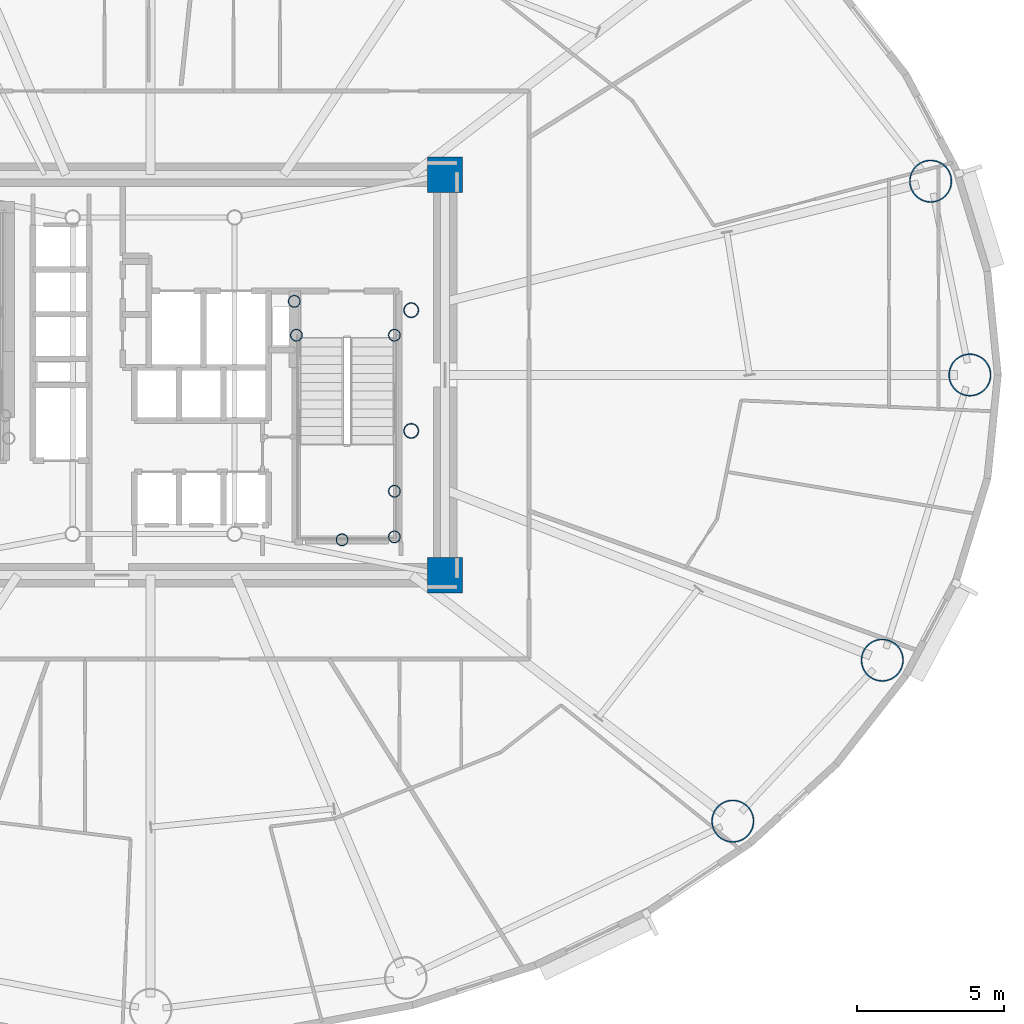
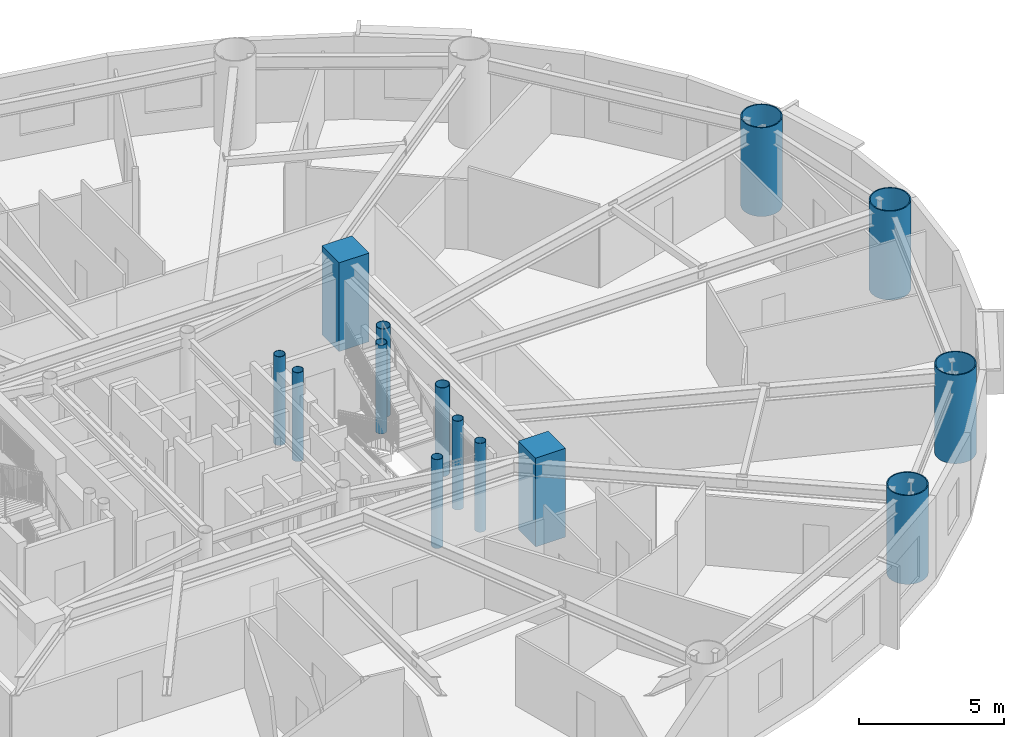
# One storey, part 2 of 21: 14 columns.
"""IFC4 building model written with IfcOpenShell, lengths in metres."""

import ifcopenshell
import ifcopenshell.guid

model = None  # the IFC model being written
_history = None  # IfcOwnerHistory: only IFC2X3 demands one
_inside = {}  # id of a spatial element -> (the spatial element, [elements in it])
_under = {}  # id of a project, library or spatial element -> (it, [spatial elements below it])
_declared = {}  # id of a project -> (the project, [libraries it declares])
_typed = {}  # id of a type object -> (the type object, [elements of that type])
_made_of = {}  # id of a material, layer set ... -> (it, [elements and type objects made of it])


def new_model(schema):
    """Start an empty IFC model of exactly this schema.

    Asked for "IFC4X3", IfcOpenShell would pick the latest addendum, in which some entities
    have other attributes; the version numbers below select the first issue.
    IFC2X3 requires an IfcOwnerHistory on every rooted entity: one is made here for all.
    """
    global model, _history
    if schema == "IFC4X3":
        model = ifcopenshell.file(schema_version=(4, 3, 0, 0))
    else:
        model = ifcopenshell.file(schema=schema)
    _inside.clear()
    _under.clear()
    _declared.clear()
    _typed.clear()
    _made_of.clear()
    _history = None
    if model.schema == "IFC2X3":
        org = make("IfcOrganization", Name="unknown")
        user = make(
            "IfcPersonAndOrganization",
            ThePerson=make("IfcPerson", FamilyName="unknown"),
            TheOrganization=org,
        )
        app = make(
            "IfcApplication",
            ApplicationDeveloper=org,
            Version="unknown",
            ApplicationFullName="unknown",
            ApplicationIdentifier="unknown",
        )
        _history = make(
            "IfcOwnerHistory",
            OwningUser=user,
            OwningApplication=app,
            ChangeAction="ADDED",
            CreationDate=0,
        )
    return model


def make(cls, **values):
    """One entity of the class cls with the attributes given. An attribute that is None is left unset."""
    return model.create_entity(
        cls, **{name: value for name, value in values.items() if value is not None}
    )


def rooted(cls, **values):
    """An entity with a GlobalId (a new one), such as an element, a storey or a relation."""
    return make(cls, GlobalId=ifcopenshell.guid.new(), OwnerHistory=_history, **values)


def si_unit(unit_type, name, prefix=None):
    """IfcSIUnit, for example si_unit("LENGTHUNIT", "METRE", prefix="MILLI")."""
    return make("IfcSIUnit", UnitType=unit_type, Prefix=prefix, Name=name)


def assignment(units):
    """IfcUnitAssignment: the units of a project."""
    return None if units is None else make("IfcUnitAssignment", Units=units)


def point(xyz):
    """IfcCartesianPoint."""
    return None if xyz is None else make("IfcCartesianPoint", Coordinates=xyz)


def direction(xyz):
    """IfcDirection."""
    return None if xyz is None else make("IfcDirection", DirectionRatios=xyz)


def frame(location, z_axis=None, x_axis=None):
    """IfcAxis2Placement3D, a coordinate frame: its origin and axes. An axis left out is left unset."""
    return make(
        "IfcAxis2Placement3D",
        Location=point(location),
        Axis=direction(z_axis),
        RefDirection=direction(x_axis),
    )


def frame_2d(location, x_axis=None):
    """IfcAxis2Placement2D, a coordinate frame in the plane: its origin and x axis."""
    return make(
        "IfcAxis2Placement2D", Location=point(location), RefDirection=direction(x_axis)
    )


def origin():
    """The frame at (0, 0, 0) with its axes left unset."""
    return frame((0.0, 0.0, 0.0))


def origin_2d():
    """The frame at (0, 0) in the plane with its x axis left unset."""
    return frame_2d((0.0, 0.0))


def place(relative_to, where):
    """IfcLocalPlacement: puts the frame where relative to a parent placement (None: the world)."""
    return make(
        "IfcLocalPlacement", PlacementRelTo=relative_to, RelativePlacement=where
    )


def context(
    kind, dimensions, precision=None, world=None, true_north=None, identifier=None
):
    """IfcGeometricRepresentationContext, for example the 3D "Model" context."""
    return make(
        "IfcGeometricRepresentationContext",
        ContextIdentifier=identifier,
        ContextType=kind,
        CoordinateSpaceDimension=dimensions,
        Precision=precision,
        WorldCoordinateSystem=world,
        TrueNorth=true_north,
    )


def subcontext(parent, identifier, kind, view, scale=None):
    """IfcGeometricRepresentationSubContext, for example "Body" below "Model"."""
    return make(
        "IfcGeometricRepresentationSubContext",
        ContextIdentifier=identifier,
        ContextType=kind,
        ParentContext=parent,
        TargetScale=scale,
        TargetView=view,
    )


def project(units=None, contexts=None):
    """IfcProject with its units and contexts."""
    return rooted(
        "IfcProject",
        Name="project",
        RepresentationContexts=contexts,
        UnitsInContext=assignment(units),
    )


def spatial(cls, under=None, at=None, **own):
    """A site, building, storey or space (cls), placed at a placement, below another one or the project."""
    s = rooted(cls, ObjectPlacement=at, **own)
    if under is not None:
        _under.setdefault(under.id(), (under, []))[1].append(s)
    return s


def profile(cls, at=None, kind="AREA", **sizes):
    """A parametric profile (cls). Its sizes go by their IFC names, for example OverallWidth=200.0."""
    return make(cls, ProfileType=kind, Position=at, **sizes)


def rectangle(**sizes):
    """IfcRectangleProfileDef."""
    return profile("IfcRectangleProfileDef", **sizes)


def hollow_circle(**sizes):
    """IfcCircleHollowProfileDef."""
    return profile("IfcCircleHollowProfileDef", **sizes)


def extrude(swept, where, along, depth):
    """IfcExtrudedAreaSolid: the profile swept, set in the frame where, extruded along a direction by depth."""
    return make(
        "IfcExtrudedAreaSolid",
        SweptArea=swept,
        Position=where,
        ExtrudedDirection=direction(along),
        Depth=depth,
    )


def shape(context_of_items, identifier, shape_type, items):
    """IfcShapeRepresentation: the items that make up one representation, for example the "Body"."""
    return make(
        "IfcShapeRepresentation",
        ContextOfItems=context_of_items,
        RepresentationIdentifier=identifier,
        RepresentationType=shape_type,
        Items=items,
    )


def material(Name=None, Category=None):
    """IfcMaterial."""
    return make("IfcMaterial", Name=Name, Category=Category)


def material_profile(
    of_material, cross_section, Name=None, Category=None, Priority=None
):
    """IfcMaterialProfile: a cross section and its material."""
    return make(
        "IfcMaterialProfile",
        Name=Name,
        Material=of_material,
        Profile=cross_section,
        Priority=Priority,
        Category=Category,
    )


def profile_set(profiles, Name=None, composite=None):
    """IfcMaterialProfileSet."""
    return make(
        "IfcMaterialProfileSet",
        Name=Name,
        MaterialProfiles=profiles,
        CompositeProfile=composite,
    )


def made_of(thing, what):
    """Note that an element or type object is made of a material, layer set ...; save() writes the relation."""
    if what is not None:
        _made_of.setdefault(what.id(), (what, []))[1].append(thing)
    return thing


def type_object(cls, material=None, **own):
    """A type object (cls), such as IfcWallType, which elements share."""
    return made_of(rooted(cls, **own), material)


def element(
    cls,
    number,
    at=None,
    inside=None,
    cuts=None,
    type_object=None,
    material=None,
    context=None,
    identifier="Body",
    shape_type=None,
    held_by="IfcProductDefinitionShape",
    body=None,
    shapes=None,
    **own,
):
    """One element of the class cls, such as IfcWall. Its Tag is "e" and its number.

    at: its placement. inside: the storey or other place that contains it. cuts: it is an
    opening in that element (IfcRelVoidsElement). A single representation is given by context,
    identifier, shape_type and body (its items); several are given by shapes. held_by: the class
    of the entity that holds the representations. save() writes the other relations.
    """
    e = rooted(cls, Tag="e%d" % number, ObjectPlacement=at, **own)
    if body is not None:
        shapes = [shape(context, identifier, shape_type, body)]
    if shapes is not None:
        e.Representation = make(held_by, Representations=shapes)
    if inside is not None:
        _inside.setdefault(inside.id(), (inside, []))[1].append(e)
    if cuts is not None:
        rooted(
            "IfcRelVoidsElement", RelatingBuildingElement=cuts, RelatedOpeningElement=e
        )
    if type_object is not None:
        _typed.setdefault(type_object.id(), (type_object, []))[1].append(e)
    return made_of(e, material)


def aggregate(whole, parts):
    """IfcRelAggregates: a whole, such as a stair, and the parts it consists of."""
    return rooted("IfcRelAggregates", RelatingObject=whole, RelatedObjects=parts)


def save(model, path):
    """Write the relations noted so far, then the file.

    IfcRelAggregates (storeys below a building ...), IfcRelContainedInSpatialStructure (elements
    in a storey), IfcRelDefinesByType, IfcRelAssociatesMaterial and IfcRelDeclares: one each for
    every whole, place, type object, material and project.
    """
    for whole, parts in _under.values():
        aggregate(whole, parts)
    for where, things in _inside.values():
        rooted(
            "IfcRelContainedInSpatialStructure",
            RelatedElements=things,
            RelatingStructure=where,
        )
    for kind, things in _typed.values():
        rooted("IfcRelDefinesByType", RelatedObjects=things, RelatingType=kind)
    for what, things in _made_of.values():
        rooted("IfcRelAssociatesMaterial", RelatedObjects=things, RelatingMaterial=what)
    for by, libraries in _declared.values():
        rooted("IfcRelDeclares", RelatingContext=by, RelatedDefinitions=libraries)
    model.write(path)


model = new_model("IFC4")

# Units and contexts
model_context = context("Model", 3, precision=1e-05, world=origin(), true_north=direction((0.0, 1.0)))
body_context = subcontext(model_context, "Body", "Model", "MODEL_VIEW")
ifc_project = project(units=[si_unit("LENGTHUNIT", "METRE"), si_unit("AREAUNIT", "SQUARE_METRE"), si_unit("VOLUMEUNIT", "CUBIC_METRE"), si_unit("PLANEANGLEUNIT", "RADIAN"), si_unit("MASSUNIT", "GRAM", prefix="KILO")], contexts=[model_context])

# Site, building, storey
site_placement = place(None, origin())
site = spatial("IfcSite", under=ifc_project, at=site_placement, CompositionType="ELEMENT")
building_placement = place(site_placement, origin())
building = spatial("IfcBuilding", under=site, at=building_placement, Name="Linh Dai School and Residence Tower", CompositionType="ELEMENT")
storey_placement = place(building_placement, frame((0.0, 0.0, 115.949951171875)))
storey = spatial("IfcBuildingStorey", under=building, at=storey_placement, Name="L27", CompositionType="ELEMENT", Elevation=115.949951171875)

# Columns
ifc_material_1 = material(Name="Concrete B60 (C50/60)", Category="concrete")
ifc_material_profile_1 = material_profile(ifc_material_1, rectangle(XDim=1.199951171875, YDim=1.199951171875, at=origin_2d()), Name="RC 1200x1200")
ifc_profile_set_1 = profile_set([ifc_material_profile_1], Name="Concrete B60 (C50/60)")
column_type_1 = type_object("IfcColumnType", Name="COL-CC2", PredefinedType="COLUMN", material=ifc_profile_set_1)
for number, where, z_axis, x_axis, name in (
    (1, (46.0, 20.199951171875, 0.0), (0.0, 0.0, 1.0), (1.0, 0.0, 0.0), "L27 Core Corner Pier CC2"),
    (2, (46.0, 33.800048828125, 0.0), (0.0, 0.0, 1.0), (1.0, 0.0, 0.0), "L27 Core Corner Pier CC3"),
):
    element("IfcColumn", number, at=place(storey_placement, frame(where, z_axis=z_axis, x_axis=x_axis)), inside=storey, type_object=column_type_1, Name=name, PredefinedType="COLUMN", context=body_context, shape_type="SweptSolid", body=[
        extrude(rectangle(XDim=1.199951171875, YDim=1.199951171875, at=origin_2d()), origin(), (0.0, 0.0, 1.0), 3.75),
    ])
ifc_material_2 = material(Name="Structural Steel S355JR", Category="steel")
ifc_material_profile_2 = material_profile(ifc_material_2, hollow_circle(Radius=0.203125, WallThickness=0.01611328125, at=origin_2d()), Name="CHS 406.4x16")
ifc_profile_set_2 = profile_set([ifc_material_profile_2], Name="Structural Steel S355JR")
column_type_2 = type_object("IfcColumnType", Name="COL-EC", PredefinedType="COLUMN", material=ifc_profile_set_2)
for number, where, z_axis, x_axis, name in (
    (3, (44.280029296875, 21.5, 0.0), (0.0, 0.0, 1.0), (1.0, 0.0, 0.0), "L27 Stair Shaft Landing Support Pier ST2SE"),
    (4, (44.280029296875, 23.050048828125, 0.0), (0.0, 0.0, 1.0), (1.0, 0.0, 0.0), "L27 Stair Shaft Landing Support Pier ST2NE"),
    (5, (42.5, 21.39990234375, 0.0), (0.0, 0.0, 1.0), (1.0, 0.0, 0.0), "L27 Stair Shaft Landing Support Pier ST2MS"),
    (6, (40.949951171875, 28.35009765625, 0.0), (0.0, 0.0, 1.0), (1.0, 0.0, 0.0), "L27 Stair Shaft Landing Support Pier ST2N1"),
    (7, (44.280029296875, 28.35009765625, 0.0), (0.0, 0.0, 1.0), (1.0, 0.0, 0.0), "L27 Stair Shaft Landing Support Pier ST2N2"),
    (8, (40.8798828125, 29.5, 0.0), (0.0, 0.0, 1.0), (1.0, 0.0, 0.0), "L27 Stair Shaft Landing Support Pier ST2N3"),
):
    element("IfcColumn", number, at=place(storey_placement, frame(where, z_axis=z_axis, x_axis=x_axis)), inside=storey, type_object=column_type_2, Name=name, PredefinedType="COLUMN", context=body_context, shape_type="SweptSolid", body=[
        extrude(hollow_circle(Radius=0.203125, WallThickness=0.01611328125, at=origin_2d()), origin(), (0.0, 0.0, 1.0), 3.75),
    ])
ifc_material_profile_3 = material_profile(ifc_material_2, hollow_circle(Radius=0.72509765625, WallThickness=0.0419921875, at=origin_2d()), Name="CHS 1450x42")
ifc_profile_set_3 = profile_set([ifc_material_profile_3], Name="Structural Steel S355JR")
column_type_3 = type_object("IfcColumnType", Name="COL-MC3", PredefinedType="COLUMN", material=ifc_profile_set_3)
for number, where, z_axis, x_axis, name in (
    (9, (63.824951171875, 27.0, 0.0), (0.0, 0.0, 1.0), (1.0, 0.0, 0.0), "L27 Perimeter CFT Mega-Column MC01"),
    (10, (62.49267578125, 33.5810546875, 0.0), (0.0, 0.0, 1.0), (1.0, 0.0, 0.0), "L27 Perimeter CFT Mega-Column MC02"),
    (11, (55.772705078125, 11.844482421875, 0.0), (0.0, 0.0, 1.0), (1.0, 0.0, 0.0), "L27 Perimeter CFT Mega-Column MC15"),
    (12, (60.84912109375, 17.3125, 0.0), (0.0, 0.0, 1.0), (1.0, 0.0, 0.0), "L27 Perimeter CFT Mega-Column MC16"),
):
    element("IfcColumn", number, at=place(storey_placement, frame(where, z_axis=z_axis, x_axis=x_axis)), inside=storey, type_object=column_type_3, Name=name, PredefinedType="COLUMN", context=body_context, shape_type="SweptSolid", body=[
        extrude(hollow_circle(Radius=0.72509765625, WallThickness=0.0419921875, at=origin_2d()), origin(), (0.0, 0.0, 1.0), 3.75),
    ])
ifc_material_profile_4 = material_profile(ifc_material_2, hollow_circle(Radius=0.25390625, WallThickness=0.02001953125, at=origin_2d()), Name="CHS 508x20")
ifc_profile_set_4 = profile_set([ifc_material_profile_4], Name="Structural Steel S355JR")
column_type_4 = type_object("IfcColumnType", Name="COL-MCP", PredefinedType="COLUMN", material=ifc_profile_set_4)
for number, where, z_axis, x_axis, name in (
    (13, (44.85009765625, 25.10009765625, 0.0), (0.0, 0.0, 1.0), (1.0, 0.0, 0.0), "L27 Sky-Lounge Core Anchor Pier S"),
    (14, (44.85009765625, 29.199951171875, 0.0), (0.0, 0.0, 1.0), (1.0, 0.0, 0.0), "L27 Sky-Lounge Core Anchor Pier N"),
):
    element("IfcColumn", number, at=place(storey_placement, frame(where, z_axis=z_axis, x_axis=x_axis)), inside=storey, type_object=column_type_4, Name=name, PredefinedType="COLUMN", context=body_context, shape_type="SweptSolid", body=[
        extrude(hollow_circle(Radius=0.25390625, WallThickness=0.02001953125, at=origin_2d()), origin(), (0.0, 0.0, 1.0), 3.75),
    ])

save(model, "model.ifc")
